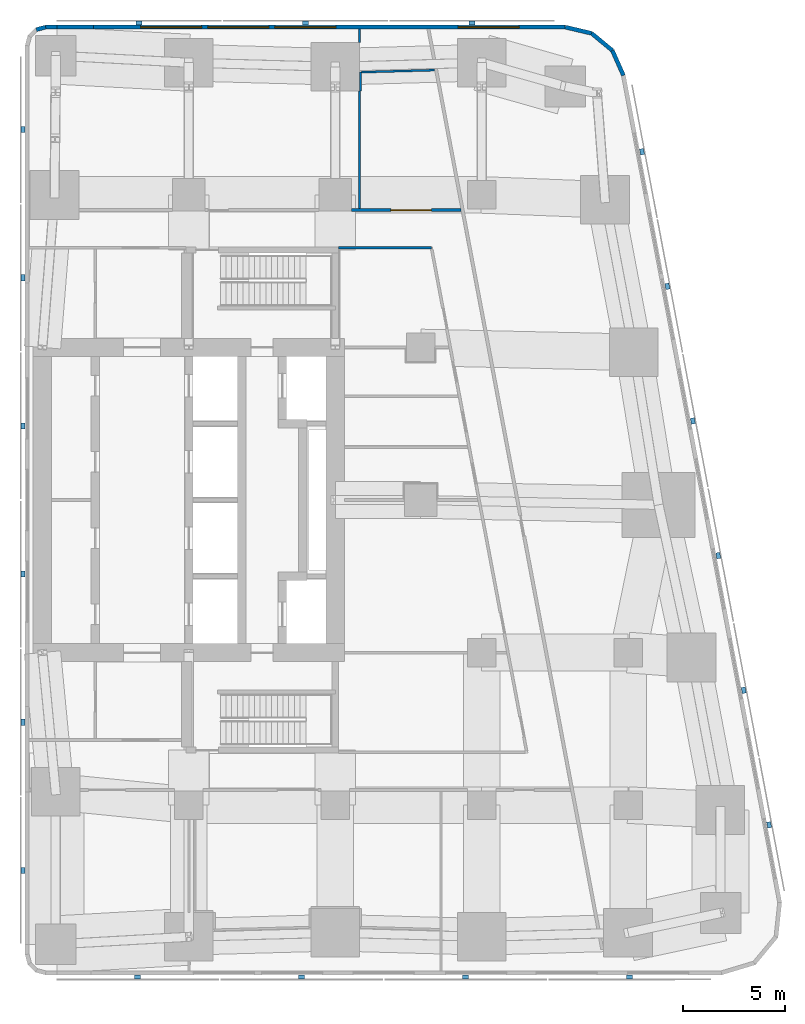
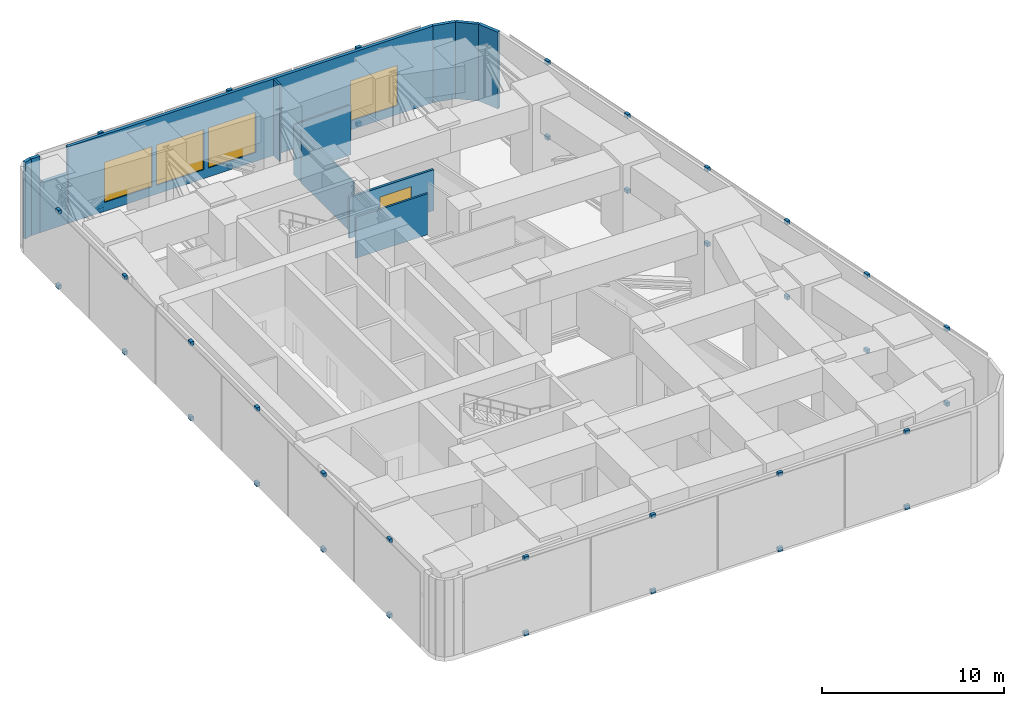
# One storey, part 7 of 9: 38 discrete accessories, 13 walls, 4 windows, 1 door, 5 openings.
"""IFC4 building model written with IfcOpenShell, lengths in metres."""

from ifc_helpers import new_model, si_unit, direction, frame, frame_2d, origin, origin_2d, place, context, subcontext, project, spatial, rectangle, extrude, material, layer, layer_set, type_object, element, fill, save


model = new_model("IFC4")

# Units and contexts
model_context = context("Model", 3, precision=1e-05, world=origin(), true_north=direction((0.0, 1.0)))
body_context = subcontext(model_context, "Body", "Model", "MODEL_VIEW")
ifc_project = project(units=[si_unit("LENGTHUNIT", "METRE"), si_unit("AREAUNIT", "SQUARE_METRE"), si_unit("VOLUMEUNIT", "CUBIC_METRE"), si_unit("PLANEANGLEUNIT", "RADIAN"), si_unit("MASSUNIT", "GRAM", prefix="KILO")], contexts=[model_context])

# Site, building, storey
site_placement = place(None, origin())
site = spatial("IfcSite", under=ifc_project, at=site_placement, CompositionType="ELEMENT")
building_placement = place(site_placement, origin())
building = spatial("IfcBuilding", under=site, at=building_placement, Name="Sheger Commons Tower", CompositionType="ELEMENT")
storey_placement = place(building_placement, frame((0.0, 0.0, 246.199951171875)))
storey = spatial("IfcBuildingStorey", under=building, at=storey_placement, Name="L63", CompositionType="ELEMENT", Elevation=246.199951171875)

# Wall, opening, door
ifc_material_1 = material(Name="Hollow concrete block masonry, skimmed both sides", Category="masonry")
ifc_layer_1 = layer(ifc_material_1, 0.14990234375)
ifc_layer_set_1 = layer_set([ifc_layer_1], Name="CORRIDOR WALL 150")
wall_type_1 = type_object("IfcWallType", Name="CORRIDOR WALL 150", PredefinedType="SOLIDWALL", material=ifc_layer_set_1)
wall_1_placement = place(storey_placement, frame((29.60107421875, 36.75, 0.0), z_axis=(0.0, 0.0, 1.0), x_axis=(1.0, 0.0, 0.0)))
wall_1 = element("IfcWall", 1, at=wall_1_placement, inside=storey, type_object=wall_type_1, Name="Corridor wall L63", PredefinedType="SOLIDWALL", context=body_context, shape_type="SweptSolid", body=[
    extrude(rectangle(XDim=5.370849609375, YDim=0.14990234375, at=frame_2d((2.685546875, 0.0))), origin(), (0.0, 0.0, 1.0), 2.75),
])
opening_1_placement = place(wall_1_placement, frame((1.929931640625, 0.0, 0.0)))
opening_1 = element("IfcOpeningElement", 2, at=opening_1_placement, cuts=wall_1, Name="Opening D8", PredefinedType="OPENING", context=body_context, shape_type="SweptSolid", body=[
    extrude(rectangle(XDim=2.0, YDim=2.10009765625, at=frame_2d((1.0, 1.050048828125))), frame((0.0, 0.0849609375, 0.0), z_axis=(0.0, -1.0, 0.0), x_axis=(1.0, 0.0, 0.0)), (0.0, 0.0, 1.0), 0.169921875),
])
ifc_material_2 = material(Name="Steel door set, fire rated", Category="steel")
door_type = type_object("IfcDoorType", Name="COMMUNITY HALL DOUBLE DOOR 2000x2100", OperationType="DOUBLE_DOOR_SINGLE_SWING", PredefinedType="DOOR", material=ifc_material_2)
door_placement = place(opening_1_placement, origin())
door = element("IfcDoor", 3, at=door_placement, inside=storey, type_object=door_type, Name="Library and study room door", OperationType="DOUBLE_DOOR_SINGLE_SWING", OverallHeight=2.10009765625, OverallWidth=2.0, PredefinedType="DOOR", context=body_context, shape_type="SweptSolid", body=[
    extrude(rectangle(XDim=2.0, YDim=2.10009765625, at=frame_2d((1.0, 1.050048828125))), frame((0.0, 0.02490234375, 0.0), z_axis=(0.0, -1.0, 0.0), x_axis=(1.0, 0.0, 0.0)), (0.0, 0.0, 1.0), 0.050048828125),
])
fill(opening_1, door)

# Walls
ifc_material_3 = material(Name="Rendered concrete block masonry, dark grey", Category="masonry")
ifc_layer_2 = layer(ifc_material_3, 0.199951171875)
ifc_layer_set_2 = layer_set([ifc_layer_2], Name="FACADE WALL 200")
wall_type_2 = type_object("IfcWallType", Name="FACADE WALL 200", PredefinedType="SOLIDWALL", material=ifc_layer_set_2)
wall_2_placement = place(storey_placement, frame((42.969970703125, 43.376953125, 0.0), z_axis=(0.0, 0.0, 1.0), x_axis=(-0.406002956633, 0.913871762998, 0.0)))
element("IfcWall", 4, at=wall_2_placement, inside=storey, type_object=wall_type_2, Name="Facade wall L63", PredefinedType="SOLIDWALL", context=body_context, shape_type="SweptSolid", body=[
    extrude(rectangle(XDim=1.33740234375, YDim=0.199951171875, at=frame_2d((0.668701171875, 0.0))), origin(), (0.0, 0.0, 1.0), 5.150146484375),
])
wall_3_placement = place(storey_placement, frame((42.427001953125, 44.59912109375, 0.0), z_axis=(0.0, 0.0, 1.0), x_axis=(-0.770091412544, 0.637933551655, 0.0)))
element("IfcWall", 5, at=wall_3_placement, inside=storey, type_object=wall_type_2, Name="Facade wall L63", PredefinedType="SOLIDWALL", context=body_context, shape_type="SweptSolid", body=[
    extrude(rectangle(XDim=1.324462890625, YDim=0.199951171875, at=frame_2d((0.662109375, 0.0))), origin(), (0.0, 0.0, 1.0), 5.150146484375),
])
wall_4_placement = place(storey_placement, frame((41.406982421875, 45.444091796875, 0.0), z_axis=(0.0, 0.0, 1.0), x_axis=(-0.973453091607, 0.228886606077, 0.0)))
element("IfcWall", 6, at=wall_4_placement, inside=storey, type_object=wall_type_2, Name="Facade wall L63", PredefinedType="SOLIDWALL", context=body_context, shape_type="SweptSolid", body=[
    extrude(rectangle(XDim=1.33642578125, YDim=0.199951171875, at=frame_2d((0.668212890625, 0.0))), origin(), (0.0, 0.0, 1.0), 5.150146484375),
])

# Wall, openings, windows
wall_5_placement = place(storey_placement, frame((40.10595703125, 45.75, 0.0), z_axis=(0.0, 0.0, 1.0), x_axis=(-1.0, 0.0, 0.0)))
wall_5 = element("IfcWall", 7, at=wall_5_placement, inside=storey, type_object=wall_type_2, Name="Facade wall L63", PredefinedType="SOLIDWALL", context=body_context, shape_type="SweptSolid", body=[
    extrude(rectangle(XDim=23.198974609375, YDim=0.199951171875, at=frame_2d((11.599609375, 0.0))), origin(), (0.0, 0.0, 1.0), 5.150146484375),
])
opening_2_placement = place(wall_5_placement, frame((2.27099609375, 0.0, 0.60009765625)))
opening_2 = element("IfcOpeningElement", 8, at=opening_2_placement, cuts=wall_5, Name="Opening LV2", PredefinedType="OPENING", context=body_context, shape_type="SweptSolid", body=[
    extrude(rectangle(XDim=3.0, YDim=2.699951171875, at=frame_2d((1.5, 1.35009765625))), frame((0.0, 0.10986328125, 0.0), z_axis=(0.0, -1.0, 0.0), x_axis=(1.0, 0.0, 0.0)), (0.0, 0.0, 1.0), 0.219970703125),
])
opening_3_placement = place(wall_5_placement, frame((11.27099609375, 0.0, 0.60009765625)))
opening_3 = element("IfcOpeningElement", 9, at=opening_3_placement, cuts=wall_5, Name="Opening LV2", PredefinedType="OPENING", context=body_context, shape_type="SweptSolid", body=[
    extrude(rectangle(XDim=3.0, YDim=2.699951171875, at=frame_2d((1.5, 1.35009765625))), frame((0.0, 0.10986328125, 0.0), z_axis=(0.0, -1.0, 0.0), x_axis=(1.0, 0.0, 0.0)), (0.0, 0.0, 1.0), 0.219970703125),
])
opening_4_placement = place(wall_5_placement, frame((14.572021484375, 0.0, 0.60009765625)))
opening_4 = element("IfcOpeningElement", 10, at=opening_4_placement, cuts=wall_5, Name="Opening LV2", PredefinedType="OPENING", context=body_context, shape_type="SweptSolid", body=[
    extrude(rectangle(XDim=3.0, YDim=2.699951171875, at=frame_2d((1.5, 1.35009765625))), frame((0.0, 0.10986328125, 0.0), z_axis=(0.0, -1.0, 0.0), x_axis=(1.0, 0.0, 0.0)), (0.0, 0.0, 1.0), 0.219970703125),
])
opening_5_placement = place(wall_5_placement, frame((17.87109375, 0.0, 0.60009765625)))
opening_5 = element("IfcOpeningElement", 11, at=opening_5_placement, cuts=wall_5, Name="Opening LV2", PredefinedType="OPENING", context=body_context, shape_type="SweptSolid", body=[
    extrude(rectangle(XDim=3.0, YDim=2.699951171875, at=frame_2d((1.5, 1.35009765625))), frame((0.0, 0.10986328125, 0.0), z_axis=(0.0, -1.0, 0.0), x_axis=(1.0, 0.0, 0.0)), (0.0, 0.0, 1.0), 0.219970703125),
])
ifc_material_4 = material(Name="Black aluminium louvre", Category="aluminium")
window_type = type_object("IfcWindowType", Name="REFUGE FLOOR LOUVRE LV2 3000x2700", PartitioningType="SINGLE_PANEL", PredefinedType="USERDEFINED", material=ifc_material_4)
window_1_placement = place(opening_2_placement, origin())
window_1 = element("IfcWindow", 12, at=window_1_placement, inside=storey, type_object=window_type, Name="Refuge Floor Louvre Lv2 3000X2700", ObjectType="LOUVRE", OverallHeight=2.699951171875, OverallWidth=3.0, PartitioningType="SINGLE_PANEL", PredefinedType="USERDEFINED", context=body_context, shape_type="SweptSolid", body=[
    extrude(rectangle(XDim=3.0, YDim=2.699951171875, at=frame_2d((1.5, 1.35009765625))), frame((0.0, 0.030029296875, 0.0), z_axis=(0.0, -1.0, 0.0), x_axis=(1.0, 0.0, 0.0)), (0.0, 0.0, 1.0), 0.06005859375),
])
fill(opening_2, window_1)
window_2_placement = place(opening_3_placement, origin())
window_2 = element("IfcWindow", 13, at=window_2_placement, inside=storey, type_object=window_type, Name="Refuge Floor Louvre Lv2 3000X2700", ObjectType="LOUVRE", OverallHeight=2.699951171875, OverallWidth=3.0, PartitioningType="SINGLE_PANEL", PredefinedType="USERDEFINED", context=body_context, shape_type="SweptSolid", body=[
    extrude(rectangle(XDim=3.0, YDim=2.699951171875, at=frame_2d((1.5, 1.35009765625))), frame((0.0, 0.030029296875, 0.0), z_axis=(0.0, -1.0, 0.0), x_axis=(1.0, 0.0, 0.0)), (0.0, 0.0, 1.0), 0.06005859375),
])
fill(opening_3, window_2)
window_3_placement = place(opening_4_placement, origin())
window_3 = element("IfcWindow", 14, at=window_3_placement, inside=storey, type_object=window_type, Name="Refuge Floor Louvre Lv2 3000X2700", ObjectType="LOUVRE", OverallHeight=2.699951171875, OverallWidth=3.0, PartitioningType="SINGLE_PANEL", PredefinedType="USERDEFINED", context=body_context, shape_type="SweptSolid", body=[
    extrude(rectangle(XDim=3.0, YDim=2.699951171875, at=frame_2d((1.5, 1.35009765625))), frame((0.0, 0.030029296875, 0.0), z_axis=(0.0, -1.0, 0.0), x_axis=(1.0, 0.0, 0.0)), (0.0, 0.0, 1.0), 0.06005859375),
])
fill(opening_4, window_3)
window_4_placement = place(opening_5_placement, origin())
window_4 = element("IfcWindow", 15, at=window_4_placement, inside=storey, type_object=window_type, Name="Refuge Floor Louvre Lv2 3000X2700", ObjectType="LOUVRE", OverallHeight=2.699951171875, OverallWidth=3.0, PartitioningType="SINGLE_PANEL", PredefinedType="USERDEFINED", context=body_context, shape_type="SweptSolid", body=[
    extrude(rectangle(XDim=3.0, YDim=2.699951171875, at=frame_2d((1.5, 1.35009765625))), frame((0.0, 0.030029296875, 0.0), z_axis=(0.0, -1.0, 0.0), x_axis=(1.0, 0.0, 0.0)), (0.0, 0.0, 1.0), 0.06005859375),
])
fill(opening_5, window_4)

# Walls
wall_6_placement = place(storey_placement, frame((16.906982421875, 45.75, 0.0), z_axis=(0.0, 0.0, 1.0), x_axis=(-1.0, 0.0, 0.0)))
element("IfcWall", 16, at=wall_6_placement, inside=storey, type_object=wall_type_2, Name="Facade wall L63", PredefinedType="SOLIDWALL", context=body_context, shape_type="SweptSolid", body=[
    extrude(rectangle(XDim=1.783935546875, YDim=0.199951171875, at=frame_2d((0.89208984375, 0.0))), origin(), (0.0, 0.0, 1.0), 3.35009765625),
])
wall_7_placement = place(storey_placement, frame((15.123046875, 45.75, 0.0), z_axis=(0.0, 0.0, 1.0), x_axis=(-1.0, 0.0, 0.0)))
element("IfcWall", 17, at=wall_7_placement, inside=storey, type_object=wall_type_2, Name="Facade wall L63", PredefinedType="SOLIDWALL", context=body_context, shape_type="SweptSolid", body=[
    extrude(rectangle(XDim=0.56005859375, YDim=0.199951171875, at=frame_2d((0.280029296875, 0.0))), origin(), (0.0, 0.0, 1.0), 5.150146484375),
])
wall_8_placement = place(storey_placement, frame((14.56298828125, 45.75, 0.0), z_axis=(0.0, 0.0, 1.0), x_axis=(-0.965655254015, -0.259826731483, 0.0)))
element("IfcWall", 18, at=wall_8_placement, inside=storey, type_object=wall_type_2, Name="Facade wall L63", PredefinedType="SOLIDWALL", context=body_context, shape_type="SweptSolid", body=[
    extrude(rectangle(XDim=0.477294921875, YDim=0.199951171875, at=frame_2d((0.23876953125, 0.0))), origin(), (0.0, 0.0, 1.0), 5.150146484375),
])
ifc_material_5 = material(Name="Gypsum board on steel studs", Category="steel")
ifc_layer_3 = layer(ifc_material_5, 0.10009765625)
ifc_layer_set_3 = layer_set([ifc_layer_3], Name="PARTITION 100")
wall_type_3 = type_object("IfcWallType", Name="PARTITION 100", PredefinedType="PARTITIONING", material=ifc_layer_set_3)
wall_9_placement = place(storey_placement, frame((30.0, 36.824951171875, 0.0), z_axis=(0.0, 0.0, 1.0), x_axis=(0.0, 1.0, 0.0)))
element("IfcWall", 19, at=wall_9_placement, inside=storey, type_object=wall_type_3, Name="Partition L63", PredefinedType="PARTITIONING", context=body_context, shape_type="SweptSolid", body=[
    extrude(rectangle(XDim=5.774169921875, YDim=0.10009765625, at=frame_2d((2.88720703125, 0.0))), origin(), (0.0, 0.0, 1.0), 3.550048828125),
])
wall_10_placement = place(storey_placement, frame((30.0, 45.0009765625, 0.0), z_axis=(0.0, 0.0, 1.0), x_axis=(0.0, 1.0, 0.0)))
element("IfcWall", 20, at=wall_10_placement, inside=storey, type_object=wall_type_3, Name="Partition L63", PredefinedType="PARTITIONING", context=body_context, shape_type="SweptSolid", body=[
    extrude(rectangle(XDim=0.64892578125, YDim=0.10009765625, at=frame_2d((0.324462890625, 0.0))), origin(), (0.0, 0.0, 1.0), 5.150146484375),
])
wall_11_placement = place(storey_placement, frame((30.050048828125, 42.60009765625, 0.0), z_axis=(0.0, 0.0, 1.0), x_axis=(0.0, 1.0, 0.0)))
element("IfcWall", 21, at=wall_11_placement, inside=storey, type_object=wall_type_3, Name="Partition L63", PredefinedType="PARTITIONING", context=body_context, shape_type="SweptSolid", body=[
    extrude(rectangle(XDim=0.934814453125, YDim=0.10009765625, at=frame_2d((0.46728515625, 0.0))), origin(), (0.0, 0.0, 1.0), 3.35009765625),
])
wall_12_placement = place(storey_placement, frame((30.10009765625, 43.535888671875, 0.0), z_axis=(0.0, 0.0, 1.0), x_axis=(0.999608878922, 0.027965857411, 0.0)))
element("IfcWall", 22, at=wall_12_placement, inside=storey, type_object=wall_type_3, Name="Partition L63", PredefinedType="PARTITIONING", context=body_context, shape_type="SweptSolid", body=[
    extrude(rectangle(XDim=3.579345703125, YDim=0.10009765625, at=frame_2d((1.78955078125, 0.0))), origin(), (0.0, 0.0, 1.0), 3.35009765625),
])
ifc_material_6 = material(Name="Gypsum board on steel studs, two layers each side, fire rated", Category="steel")
ifc_layer_4 = layer(ifc_material_6, 0.125)
ifc_layer_set_4 = layer_set([ifc_layer_4], Name="SERVICE WALL 125")
wall_type_4 = type_object("IfcWallType", Name="SERVICE WALL 125", PredefinedType="PARTITIONING", material=ifc_layer_set_4)
wall_13_placement = place(storey_placement, frame((28.949951171875, 34.89990234375, 0.0), z_axis=(0.0, 0.0, 1.0), x_axis=(1.0, 0.0, 0.0)))
element("IfcWall", 23, at=wall_13_placement, inside=storey, type_object=wall_type_4, Name="Service room wall L63", PredefinedType="PARTITIONING", context=body_context, shape_type="SweptSolid", body=[
    extrude(rectangle(XDim=4.588134765625, YDim=0.125, at=frame_2d((2.2939453125, 0.0))), origin(), (0.0, 0.0, 1.0), 2.75),
])

# Discrete accessories
ifc_material_7 = material(Name="Black painted steel bracket", Category="steel")
discrete_accessory_type = type_object("IfcDiscreteAccessoryType", Name="SCREEN BRACKET 300x200x250", PredefinedType="BRACKET", material=ifc_material_7)
for number, where, z_axis, x_axis, name in (
    (24, (19.08203125, -0.949951171875, -0.099853515625), (0.0, 0.0, 1.0), (1.0, 0.0, 0.0), "Solar screen foot bracket"),
    (25, (19.08203125, -0.949951171875, 4.949951171875), (0.0, 0.0, 1.0), (1.0, 0.0, 0.0), "Solar screen head bracket"),
    (26, (27.14599609375, -0.949951171875, -0.099853515625), (0.0, 0.0, 1.0), (1.0, 0.0, 0.0), "Solar screen foot bracket"),
    (27, (27.14599609375, -0.949951171875, 4.949951171875), (0.0, 0.0, 1.0), (1.0, 0.0, 0.0), "Solar screen head bracket"),
    (28, (35.2099609375, -0.949951171875, -0.099853515625), (0.0, 0.0, 1.0), (1.0, 0.0, 0.0), "Solar screen foot bracket"),
    (29, (35.2099609375, -0.949951171875, 4.949951171875), (0.0, 0.0, 1.0), (1.0, 0.0, 0.0), "Solar screen head bracket"),
    (30, (43.27392578125, -0.949951171875, -0.099853515625), (0.0, 0.0, 1.0), (1.0, 0.0, 0.0), "Solar screen foot bracket"),
    (31, (43.27392578125, -0.949951171875, 4.949951171875), (0.0, 0.0, 1.0), (1.0, 0.0, 0.0), "Solar screen head bracket"),
    (32, (50.134033203125, 6.527099609375, -0.099853515625), (0.0, 0.0, 1.0), (-0.185615165645, 0.982622516678, 0.0), "Solar screen foot bracket"),
    (33, (50.134033203125, 6.527099609375, 4.949951171875), (0.0, 0.0, 1.0), (-0.185615165645, 0.982622516678, 0.0), "Solar screen head bracket"),
    (34, (48.884033203125, 13.14599609375, -0.099853515625), (0.0, 0.0, 1.0), (-0.185615165645, 0.982622516678, 0.0), "Solar screen foot bracket"),
    (35, (48.884033203125, 13.14599609375, 4.949951171875), (0.0, 0.0, 1.0), (-0.185615165645, 0.982622516678, 0.0), "Solar screen head bracket"),
    (36, (47.633056640625, 19.76611328125, -0.099853515625), (0.0, 0.0, 1.0), (-0.185615165645, 0.982622516678, 0.0), "Solar screen foot bracket"),
    (37, (47.633056640625, 19.76611328125, 4.949951171875), (0.0, 0.0, 1.0), (-0.185615165645, 0.982622516678, 0.0), "Solar screen head bracket"),
    (38, (46.383056640625, 26.385009765625, -0.099853515625), (0.0, 0.0, 1.0), (-0.185615165645, 0.982622516678, 0.0), "Solar screen foot bracket"),
    (39, (46.383056640625, 26.385009765625, 4.949951171875), (0.0, 0.0, 1.0), (-0.185615165645, 0.982622516678, 0.0), "Solar screen head bracket"),
    (40, (45.133056640625, 33.0048828125, -0.099853515625), (0.0, 0.0, 1.0), (-0.185615165645, 0.982622516678, 0.0), "Solar screen foot bracket"),
    (41, (45.133056640625, 33.0048828125, 4.949951171875), (0.0, 0.0, 1.0), (-0.185615165645, 0.982622516678, 0.0), "Solar screen head bracket"),
    (42, (43.882080078125, 39.6240234375, -0.099853515625), (0.0, 0.0, 1.0), (-0.185615165645, 0.982622516678, 0.0), "Solar screen foot bracket"),
    (43, (43.882080078125, 39.6240234375, 4.949951171875), (0.0, 0.0, 1.0), (-0.185615165645, 0.982622516678, 0.0), "Solar screen head bracket"),
    (44, (35.52294921875, 45.949951171875, -0.099853515625), (0.0, 0.0, 1.0), (-1.0, 0.0, 0.0), "Solar screen foot bracket"),
    (45, (35.52294921875, 45.949951171875, 4.949951171875), (0.0, 0.0, 1.0), (-1.0, 0.0, 0.0), "Solar screen head bracket"),
    (46, (27.333984375, 45.949951171875, -0.099853515625), (0.0, 0.0, 1.0), (-1.0, 0.0, 0.0), "Solar screen foot bracket"),
    (47, (27.333984375, 45.949951171875, 4.949951171875), (0.0, 0.0, 1.0), (-1.0, 0.0, 0.0), "Solar screen head bracket"),
    (48, (19.14501953125, 45.949951171875, -0.099853515625), (0.0, 0.0, 1.0), (-1.0, 0.0, 0.0), "Solar screen foot bracket"),
    (49, (19.14501953125, 45.949951171875, 4.949951171875), (0.0, 0.0, 1.0), (-1.0, 0.0, 0.0), "Solar screen head bracket"),
    (50, (13.449951171875, 40.7080078125, -0.099853515625), (0.0, 0.0, 1.0), (0.0, -1.0, 0.0), "Solar screen foot bracket"),
    (51, (13.449951171875, 40.7080078125, 4.949951171875), (0.0, 0.0, 1.0), (0.0, -1.0, 0.0), "Solar screen head bracket"),
    (52, (13.449951171875, 33.425048828125, -0.099853515625), (0.0, 0.0, 1.0), (0.0, -1.0, 0.0), "Solar screen foot bracket"),
    (53, (13.449951171875, 33.425048828125, 4.949951171875), (0.0, 0.0, 1.0), (0.0, -1.0, 0.0), "Solar screen head bracket"),
    (54, (13.449951171875, 26.14208984375, -0.099853515625), (0.0, 0.0, 1.0), (0.0, -1.0, 0.0), "Solar screen foot bracket"),
    (55, (13.449951171875, 26.14208984375, 4.949951171875), (0.0, 0.0, 1.0), (0.0, -1.0, 0.0), "Solar screen head bracket"),
    (56, (13.449951171875, 18.85791015625, -0.099853515625), (0.0, 0.0, 1.0), (0.0, -1.0, 0.0), "Solar screen foot bracket"),
    (57, (13.449951171875, 18.85791015625, 4.949951171875), (0.0, 0.0, 1.0), (0.0, -1.0, 0.0), "Solar screen head bracket"),
    (58, (13.449951171875, 11.574951171875, -0.099853515625), (0.0, 0.0, 1.0), (0.0, -1.0, 0.0), "Solar screen foot bracket"),
    (59, (13.449951171875, 11.574951171875, 4.949951171875), (0.0, 0.0, 1.0), (0.0, -1.0, 0.0), "Solar screen head bracket"),
    (60, (13.449951171875, 4.2919921875, -0.099853515625), (0.0, 0.0, 1.0), (0.0, -1.0, 0.0), "Solar screen foot bracket"),
    (61, (13.449951171875, 4.2919921875, 4.949951171875), (0.0, 0.0, 1.0), (0.0, -1.0, 0.0), "Solar screen head bracket"),
):
    element("IfcDiscreteAccessory", number, at=place(storey_placement, frame(where, z_axis=z_axis, x_axis=x_axis)), inside=storey, type_object=discrete_accessory_type, Name=name, PredefinedType="BRACKET", context=body_context, shape_type="SweptSolid", body=[
        extrude(rectangle(XDim=0.300048828125, YDim=0.199951171875, at=origin_2d()), origin(), (0.0, 0.0, 1.0), 0.25),
    ])

save(model, "model.ifc")
